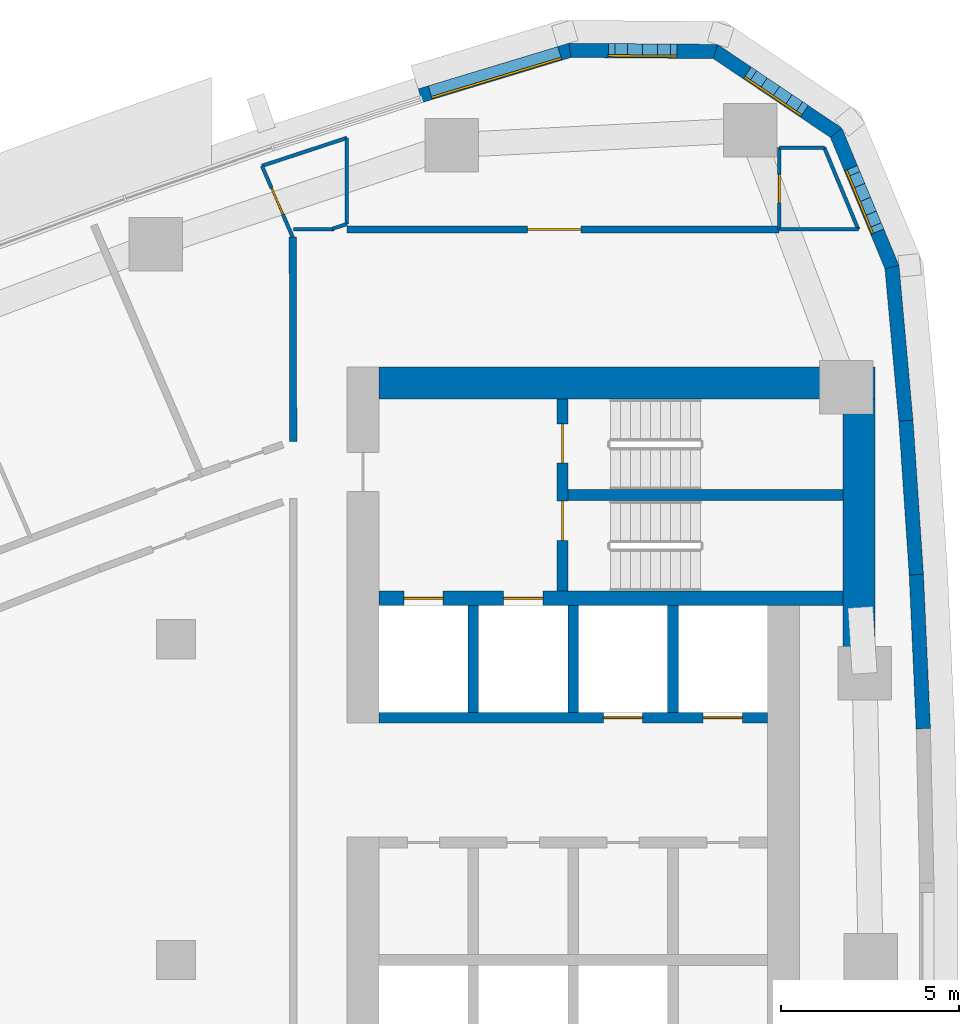
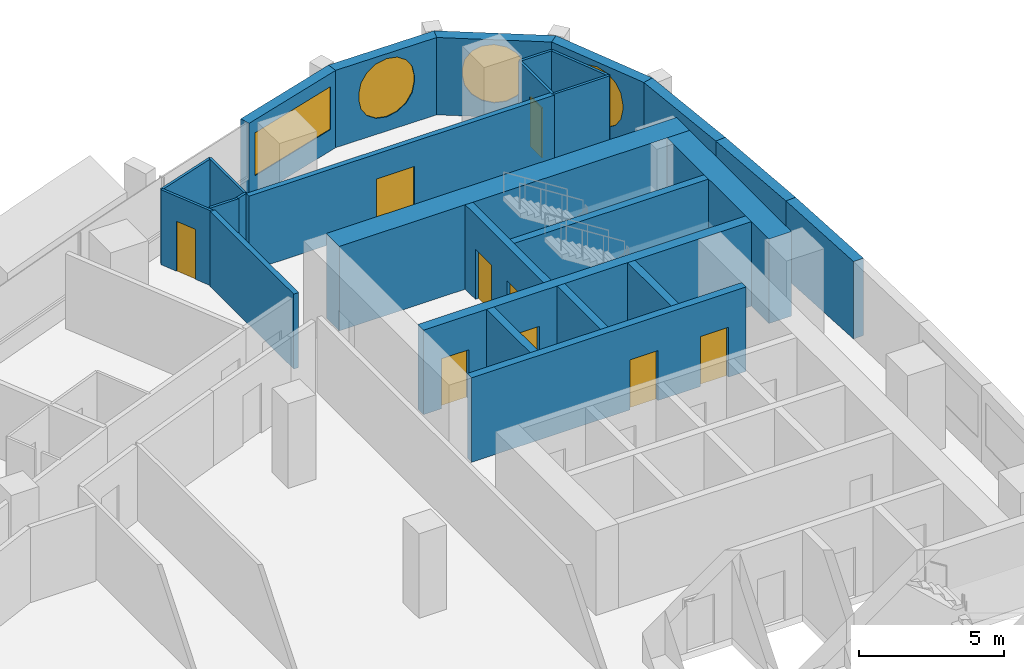
# One storey, part 12 of 17: 27 walls, 9 doors, 4 windows, 13 openings.
"""IFC4 building model written with IfcOpenShell, lengths in metres."""

from ifc_helpers import new_model, si_unit, direction, frame, frame_2d, origin, place, context, subcontext, project, spatial, polyline, rectangle, outline, extrude, material, layer, layer_set, type_object, element, fill, save


model = new_model("IFC4")

# Units and contexts
model_context = context("Model", 3, precision=1e-05, world=origin(), true_north=direction((0.0, 1.0)))
body_context = subcontext(model_context, "Body", "Model", "MODEL_VIEW")
ifc_project = project(units=[si_unit("LENGTHUNIT", "METRE"), si_unit("AREAUNIT", "SQUARE_METRE"), si_unit("VOLUMEUNIT", "CUBIC_METRE"), si_unit("PLANEANGLEUNIT", "RADIAN"), si_unit("MASSUNIT", "GRAM", prefix="KILO")], contexts=[model_context])

# Site, building, storey
site_placement = place(None, origin())
site = spatial("IfcSite", under=ifc_project, at=site_placement, CompositionType="ELEMENT")
building_placement = place(site_placement, origin())
building = spatial("IfcBuilding", under=site, at=building_placement, Name="Ostrand Prow Hotel Tower", CompositionType="ELEMENT")
storey_placement = place(building_placement, frame((0.0, 0.0, 162.14990234375)))
storey = spatial("IfcBuildingStorey", under=building, at=storey_placement, Name="L40", CompositionType="ELEMENT", Elevation=162.14990234375)

# Wall, openings, doors
ifc_material_1 = material(Name="Concrete C70/85", Category="concrete")
ifc_layer_1 = layer(ifc_material_1, 0.300048828125)
ifc_layer_set_1 = layer_set([ifc_layer_1], Name="Concrete C70/85")
wall_type_1 = type_object("IfcWallType", Name="Core wall 300 C70/85", PredefinedType="SHEAR", material=ifc_layer_set_1)
wall_1_placement = place(storey_placement, frame((50.699951171875, 6.800048828125, 0.0), z_axis=(0.0, 0.0, 1.0), x_axis=(1.0, 0.0, 0.0)))
wall_1 = element("IfcWall", 1, at=wall_1_placement, inside=storey, type_object=wall_type_1, Name="Core wall PW-L2-N", PredefinedType="SHEAR", context=body_context, shape_type="SweptSolid", body=[
    extrude(rectangle(XDim=10.900146484375, YDim=0.300048828125, at=frame_2d((5.4501953125, 0.0))), origin(), (0.0, 0.0, 1.0), 3.550048828125),
])
opening_1_placement = place(wall_1_placement, frame((6.300048828125, 0.0, 0.0)))
opening_1 = element("IfcOpeningElement", 2, at=opening_1_placement, cuts=wall_1, Name="Opening LD", PredefinedType="OPENING", context=body_context, shape_type="SweptSolid", body=[
    extrude(rectangle(XDim=1.10009765625, YDim=2.10009765625, at=frame_2d((0.550048828125, 1.050048828125))), frame((0.0, 0.159912109375, 0.0), z_axis=(0.0, -1.0, 0.0), x_axis=(1.0, 0.0, 0.0)), (0.0, 0.0, 1.0), 0.320068359375),
])
opening_2_placement = place(wall_1_placement, frame((9.10009765625, 0.0, 0.0)))
opening_2 = element("IfcOpeningElement", 3, at=opening_2_placement, cuts=wall_1, Name="Opening LD", PredefinedType="OPENING", context=body_context, shape_type="SweptSolid", body=[
    extrude(rectangle(XDim=1.10009765625, YDim=2.10009765625, at=frame_2d((0.550048828125, 1.050048828125))), frame((0.0, 0.159912109375, 0.0), z_axis=(0.0, -1.0, 0.0), x_axis=(1.0, 0.0, 0.0)), (0.0, 0.0, 1.0), 0.320068359375),
])
ifc_material_2 = material(Name="Stainless steel door", Category="steel")
door_type_1 = type_object("IfcDoorType", Name="Lift landing door 1100", OperationType="DOUBLE_DOOR_SLIDING", PredefinedType="DOOR", material=ifc_material_2)
door_1_placement = place(opening_1_placement, origin())
door_1 = element("IfcDoor", 4, at=door_1_placement, inside=storey, type_object=door_type_1, Name="LIFT LANDING DOOR", OperationType="DOUBLE_DOOR_SLIDING", OverallHeight=2.10009765625, OverallWidth=1.10009765625, PredefinedType="DOOR", context=body_context, shape_type="SweptSolid", body=[
    extrude(rectangle(XDim=1.10009765625, YDim=2.10009765625, at=frame_2d((0.550048828125, 1.050048828125))), frame((0.0, 0.02490234375, 0.0), z_axis=(0.0, -1.0, 0.0), x_axis=(1.0, 0.0, 0.0)), (0.0, 0.0, 1.0), 0.050048828125),
])
fill(opening_1, door_1)
door_2_placement = place(opening_2_placement, origin())
door_2 = element("IfcDoor", 5, at=door_2_placement, inside=storey, type_object=door_type_1, Name="LIFT LANDING DOOR", OperationType="DOUBLE_DOOR_SLIDING", OverallHeight=2.10009765625, OverallWidth=1.10009765625, PredefinedType="DOOR", context=body_context, shape_type="SweptSolid", body=[
    extrude(rectangle(XDim=1.10009765625, YDim=2.10009765625, at=frame_2d((0.550048828125, 1.050048828125))), frame((0.0, 0.02490234375, 0.0), z_axis=(0.0, -1.0, 0.0), x_axis=(1.0, 0.0, 0.0)), (0.0, 0.0, 1.0), 0.050048828125),
])
fill(opening_2, door_2)

# Walls
for number, where, z_axis, x_axis, name in (
    (6, (53.35009765625, 6.949951171875, 0.0), (0.0, 0.0, 1.0), (0.0, 1.0, 0.0), "Core wall PW-R1-NA"),
    (7, (56.14990234375, 6.949951171875, 0.0), (0.0, 0.0, 1.0), (0.0, 1.0, 0.0), "Core wall PW-R2-NA"),
    (8, (58.949951171875, 6.949951171875, 0.0), (0.0, 0.0, 1.0), (0.0, 1.0, 0.0), "Core wall PW-R3-NA"),
):
    element("IfcWall", number, at=place(storey_placement, frame(where, z_axis=z_axis, x_axis=x_axis)), inside=storey, type_object=wall_type_1, Name=name, PredefinedType="SHEAR", context=body_context, shape_type="SweptSolid", body=[
        extrude(rectangle(XDim=3.0, YDim=0.300048828125, at=frame_2d((1.5, 0.0))), origin(), (0.0, 0.0, 1.0), 3.550048828125),
    ])

# Wall, openings, doors
wall_2_placement = place(storey_placement, frame((55.85009765625, 10.35009765625, 0.0), z_axis=(0.0, 0.0, 1.0), x_axis=(0.0, 1.0, 0.0)))
wall_2 = element("IfcWall", 9, at=wall_2_placement, inside=storey, type_object=wall_type_1, Name="Core wall PW-VN", PredefinedType="SHEAR", context=body_context, shape_type="SweptSolid", body=[
    extrude(rectangle(XDim=5.39990234375, YDim=0.300048828125, at=frame_2d((2.699951171875, 0.0))), origin(), (0.0, 0.0, 1.0), 3.550048828125),
])
opening_3_placement = place(wall_2_placement, frame((1.429931640625, 0.0, 0.0)))
opening_3 = element("IfcOpeningElement", 10, at=opening_3_placement, cuts=wall_2, Name="Opening FD1", PredefinedType="OPENING", context=body_context, shape_type="SweptSolid", body=[
    extrude(rectangle(XDim=1.10009765625, YDim=2.10009765625, at=frame_2d((0.550048828125, 1.050048828125))), frame((0.0, 0.159912109375, 0.0), z_axis=(0.0, -1.0, 0.0), x_axis=(1.0, 0.0, 0.0)), (0.0, 0.0, 1.0), 0.320068359375),
])
opening_4_placement = place(wall_2_placement, frame((3.60009765625, 0.0, 0.0)))
opening_4 = element("IfcOpeningElement", 11, at=opening_4_placement, cuts=wall_2, Name="Opening FD1", PredefinedType="OPENING", context=body_context, shape_type="SweptSolid", body=[
    extrude(rectangle(XDim=1.10009765625, YDim=2.10009765625, at=frame_2d((0.550048828125, 1.050048828125))), frame((0.0, 0.159912109375, 0.0), z_axis=(0.0, -1.0, 0.0), x_axis=(1.0, 0.0, 0.0)), (0.0, 0.0, 1.0), 0.320068359375),
])
ifc_material_3 = material(Name="Steel fire door", Category="steel")
door_type_2 = type_object("IfcDoorType", Name="Fire door 1100 EI120", OperationType="SINGLE_SWING_RIGHT", PredefinedType="DOOR", material=ifc_material_3)
door_3_placement = place(opening_3_placement, origin())
door_3 = element("IfcDoor", 12, at=door_3_placement, inside=storey, type_object=door_type_2, Name="FIRE DOOR", OperationType="SINGLE_SWING_RIGHT", OverallHeight=2.10009765625, OverallWidth=1.10009765625, PredefinedType="DOOR", context=body_context, shape_type="SweptSolid", body=[
    extrude(rectangle(XDim=1.10009765625, YDim=2.10009765625, at=frame_2d((0.550048828125, 1.050048828125))), frame((0.0, 0.02490234375, 0.0), z_axis=(0.0, -1.0, 0.0), x_axis=(1.0, 0.0, 0.0)), (0.0, 0.0, 1.0), 0.050048828125),
])
fill(opening_3, door_3)
door_4_placement = place(opening_4_placement, origin())
door_4 = element("IfcDoor", 13, at=door_4_placement, inside=storey, type_object=door_type_2, Name="FIRE DOOR", OperationType="SINGLE_SWING_RIGHT", OverallHeight=2.10009765625, OverallWidth=1.10009765625, PredefinedType="DOOR", context=body_context, shape_type="SweptSolid", body=[
    extrude(rectangle(XDim=1.10009765625, YDim=2.10009765625, at=frame_2d((0.550048828125, 1.050048828125))), frame((0.0, 0.02490234375, 0.0), z_axis=(0.0, -1.0, 0.0), x_axis=(1.0, 0.0, 0.0)), (0.0, 0.0, 1.0), 0.050048828125),
])
fill(opening_4, door_4)

# Wall
wall_3_placement = place(storey_placement, frame((56.0, 13.050048828125, 0.0), z_axis=(0.0, 0.0, 1.0), x_axis=(1.0, 0.0, 0.0)))
element("IfcWall", 14, at=wall_3_placement, inside=storey, type_object=wall_type_1, Name="Core wall PW-ST13", PredefinedType="SHEAR", context=body_context, shape_type="SweptSolid", body=[
    extrude(rectangle(XDim=7.719970703125, YDim=0.300048828125, at=frame_2d((3.85986328125, 0.0))), origin(), (0.0, 0.0, 1.0), 3.550048828125),
])

# Wall, openings, doors
ifc_material_4 = material(Name="Concrete C70/85", Category="concrete")
ifc_layer_2 = layer(ifc_material_4, 0.39990234375)
ifc_layer_set_2 = layer_set([ifc_layer_2], Name="Concrete C70/85")
wall_type_2 = type_object("IfcWallType", Name="Core wall 400 C70/85", PredefinedType="SHEAR", material=ifc_layer_set_2)
wall_4_placement = place(storey_placement, frame((50.699951171875, 10.14990234375, 0.0), z_axis=(0.0, 0.0, 1.0), x_axis=(1.0, 0.0, 0.0)))
wall_4 = element("IfcWall", 15, at=wall_4_placement, inside=storey, type_object=wall_type_2, Name="Core wall PW-BN", PredefinedType="SHEAR", context=body_context, shape_type="SweptSolid", body=[
    extrude(rectangle(XDim=13.02001953125, YDim=0.39990234375, at=frame_2d((6.510009765625, 0.0))), origin(), (0.0, 0.0, 1.0), 3.550048828125),
])
opening_5_placement = place(wall_4_placement, frame((0.699951171875, 0.0, 0.0)))
opening_5 = element("IfcOpeningElement", 16, at=opening_5_placement, cuts=wall_4, Name="Opening LD", PredefinedType="OPENING", context=body_context, shape_type="SweptSolid", body=[
    extrude(rectangle(XDim=1.10009765625, YDim=2.10009765625, at=frame_2d((0.550048828125, 1.050048828125))), frame((0.0, 0.2099609375, 0.0), z_axis=(0.0, -1.0, 0.0), x_axis=(1.0, 0.0, 0.0)), (0.0, 0.0, 1.0), 0.419921875),
])
opening_6_placement = place(wall_4_placement, frame((3.5, 0.0, 0.0)))
opening_6 = element("IfcOpeningElement", 17, at=opening_6_placement, cuts=wall_4, Name="Opening LD", PredefinedType="OPENING", context=body_context, shape_type="SweptSolid", body=[
    extrude(rectangle(XDim=1.10009765625, YDim=2.10009765625, at=frame_2d((0.550048828125, 1.050048828125))), frame((0.0, 0.2099609375, 0.0), z_axis=(0.0, -1.0, 0.0), x_axis=(1.0, 0.0, 0.0)), (0.0, 0.0, 1.0), 0.419921875),
])
door_5_placement = place(opening_5_placement, origin())
door_5 = element("IfcDoor", 18, at=door_5_placement, inside=storey, type_object=door_type_1, Name="LIFT LANDING DOOR", OperationType="DOUBLE_DOOR_SLIDING", OverallHeight=2.10009765625, OverallWidth=1.10009765625, PredefinedType="DOOR", context=body_context, shape_type="SweptSolid", body=[
    extrude(rectangle(XDim=1.10009765625, YDim=2.10009765625, at=frame_2d((0.550048828125, 1.050048828125))), frame((0.0, 0.02490234375, 0.0), z_axis=(0.0, -1.0, 0.0), x_axis=(1.0, 0.0, 0.0)), (0.0, 0.0, 1.0), 0.050048828125),
])
fill(opening_5, door_5)
door_6_placement = place(opening_6_placement, origin())
door_6 = element("IfcDoor", 19, at=door_6_placement, inside=storey, type_object=door_type_1, Name="LIFT LANDING DOOR", OperationType="DOUBLE_DOOR_SLIDING", OverallHeight=2.10009765625, OverallWidth=1.10009765625, PredefinedType="DOOR", context=body_context, shape_type="SweptSolid", body=[
    extrude(rectangle(XDim=1.10009765625, YDim=2.10009765625, at=frame_2d((0.550048828125, 1.050048828125))), frame((0.0, 0.02490234375, 0.0), z_axis=(0.0, -1.0, 0.0), x_axis=(1.0, 0.0, 0.0)), (0.0, 0.0, 1.0), 0.050048828125),
])
fill(opening_6, door_6)

# Walls
ifc_material_5 = material(Name="Concrete C70/85", Category="concrete")
ifc_layer_3 = layer(ifc_material_5, 0.89990234375)
ifc_layer_set_3 = layer_set([ifc_layer_3], Name="Concrete C70/85")
wall_type_3 = type_object("IfcWallType", Name="Core wall 900 C70/85", PredefinedType="SHEAR", material=ifc_layer_set_3)
wall_5_placement = place(storey_placement, frame((50.699951171875, 16.199951171875, 0.0), z_axis=(0.0, 0.0, 1.0), x_axis=(1.0, 0.0, 0.0)))
element("IfcWall", 20, at=wall_5_placement, inside=storey, type_object=wall_type_3, Name="Core wall CW-N", PredefinedType="SHEAR", context=body_context, shape_type="SweptSolid", body=[
    extrude(rectangle(XDim=13.920166015625, YDim=0.89990234375, at=frame_2d((6.9599609375, 0.0))), origin(), (0.0, 0.0, 1.0), 3.550048828125),
])
wall_6_placement = place(storey_placement, frame((64.169921875, 8.74462890625, 0.0), z_axis=(0.0, 0.0, 1.0), x_axis=(0.0, 1.0, 0.0)))
element("IfcWall", 21, at=wall_6_placement, inside=storey, type_object=wall_type_3, Name="Core wall CW-E-N", PredefinedType="SHEAR", context=body_context, shape_type="SweptSolid", body=[
    extrude(rectangle(XDim=7.00537109375, YDim=0.89990234375, at=frame_2d((3.502685546875, 0.0))), origin(), (0.0, 0.0, 1.0), 3.550048828125),
])

# Wall, opening, door
ifc_material_6 = material(Name="Plasterboard partition")
ifc_layer_4 = layer(ifc_material_6, 0.10009765625)
ifc_layer_set_4 = layer_set([ifc_layer_4], Name="Plasterboard partition")
wall_type_4 = type_object("IfcWallType", Name="Partition 100 bathroom wall", PredefinedType="PARTITIONING", material=ifc_layer_set_4)
wall_7_placement = place(storey_placement, frame((61.9375, 20.5, 0.0), z_axis=(0.0, 0.0, 1.0), x_axis=(0.0, 1.0, 0.0)))
wall_7 = element("IfcWall", 22, at=wall_7_placement, inside=storey, type_object=wall_type_4, Name="BATHROOM WALL", PredefinedType="PARTITIONING", context=body_context, shape_type="SweptSolid", body=[
    extrude(rectangle(XDim=2.300048828125, YDim=0.10009765625, at=frame_2d((1.14990234375, 0.0))), origin(), (0.0, 0.0, 1.0), 3.150146484375),
])
opening_7_placement = place(wall_7_placement, frame((0.75, 0.0, 0.0)))
opening_7 = element("IfcOpeningElement", 23, at=opening_7_placement, cuts=wall_7, Name="Opening D2", PredefinedType="OPENING", context=body_context, shape_type="SweptSolid", body=[
    extrude(rectangle(XDim=0.800048828125, YDim=2.10009765625, at=frame_2d((0.39990234375, 1.050048828125))), frame((0.0, 0.06005859375, 0.0), z_axis=(0.0, -1.0, 0.0), x_axis=(1.0, 0.0, 0.0)), (0.0, 0.0, 1.0), 0.1201171875),
])
ifc_material_7 = material(Name="Timber door leaf", Category="wood")
door_type_3 = type_object("IfcDoorType", Name="Bathroom door 800", OperationType="SINGLE_SWING_LEFT", PredefinedType="DOOR", material=ifc_material_7)
door_7_placement = place(opening_7_placement, origin())
door_7 = element("IfcDoor", 24, at=door_7_placement, inside=storey, type_object=door_type_3, Name="DOOR", OperationType="SINGLE_SWING_LEFT", OverallHeight=2.10009765625, OverallWidth=0.800048828125, PredefinedType="DOOR", context=body_context, shape_type="SweptSolid", body=[
    extrude(rectangle(XDim=0.800048828125, YDim=2.10009765625, at=frame_2d((0.39990234375, 1.050048828125))), frame((0.0, 0.02490234375, 0.0), z_axis=(0.0, -1.0, 0.0), x_axis=(1.0, 0.0, 0.0)), (0.0, 0.0, 1.0), 0.050048828125),
])
fill(opening_7, door_7)

# Wall
wall_8_placement = place(storey_placement, frame((61.9375, 22.800048828125, 0.0), z_axis=(0.0, 0.0, 1.0), x_axis=(1.0, 0.0, 0.0)))
element("IfcWall", 25, at=wall_8_placement, inside=storey, type_object=wall_type_4, Name="BATHROOM WALL", PredefinedType="PARTITIONING", context=body_context, shape_type="SweptSolid", body=[
    extrude(rectangle(XDim=1.2607421875, YDim=0.10009765625, at=frame_2d((0.63037109375, 0.0))), origin(), (0.0, 0.0, 1.0), 3.150146484375),
])

# Wall, opening, door
wall_9_placement = place(storey_placement, frame((48.27880859375, 20.28857421875, 0.0), z_axis=(0.0, 0.0, 1.0), x_axis=(-0.396028123143, 0.918238381729, 0.0)))
wall_9 = element("IfcWall", 26, at=wall_9_placement, inside=storey, type_object=wall_type_4, Name="BATHROOM WALL", PredefinedType="PARTITIONING", context=body_context, shape_type="SweptSolid", body=[
    extrude(rectangle(XDim=2.1787109375, YDim=0.10009765625, at=frame_2d((1.08935546875, 0.0))), origin(), (0.0, 0.0, 1.0), 3.150146484375),
])
opening_8_placement = place(wall_9_placement, frame((0.699951171875, 0.0, 0.0)))
opening_8 = element("IfcOpeningElement", 27, at=opening_8_placement, cuts=wall_9, Name="Opening D2", PredefinedType="OPENING", context=body_context, shape_type="SweptSolid", body=[
    extrude(rectangle(XDim=0.800048828125, YDim=2.10009765625, at=frame_2d((0.39990234375, 1.050048828125))), frame((0.0, 0.06005859375, 0.0), z_axis=(0.0, -1.0, 0.0), x_axis=(1.0, 0.0, 0.0)), (0.0, 0.0, 1.0), 0.1201171875),
])
door_8_placement = place(opening_8_placement, origin())
door_8 = element("IfcDoor", 28, at=door_8_placement, inside=storey, type_object=door_type_3, Name="DOOR", OperationType="SINGLE_SWING_LEFT", OverallHeight=2.10009765625, OverallWidth=0.800048828125, PredefinedType="DOOR", context=body_context, shape_type="SweptSolid", body=[
    extrude(rectangle(XDim=0.800048828125, YDim=2.10009765625, at=frame_2d((0.39990234375, 1.050048828125))), frame((0.0, 0.02490234375, 0.0), z_axis=(0.0, -1.0, 0.0), x_axis=(1.0, 0.0, 0.0)), (0.0, 0.0, 1.0), 0.050048828125),
])
fill(opening_8, door_8)

# Walls
wall_10_placement = place(storey_placement, frame((63.1982421875, 22.800048828125, 0.0), z_axis=(0.0, 0.0, 1.0), x_axis=(0.383855043906, -0.923393364319, 0.0)))
element("IfcWall", 29, at=wall_10_placement, inside=storey, type_object=wall_type_4, Name="BATHROOM WALL", PredefinedType="PARTITIONING", context=body_context, shape_type="SweptSolid", body=[
    extrude(rectangle(XDim=2.485595703125, YDim=0.10009765625, at=frame_2d((1.24267578125, 0.0))), origin(), (0.0, 0.0, 1.0), 3.150146484375),
])
wall_11_placement = place(storey_placement, frame((64.15234375, 20.5048828125, 0.0), z_axis=(0.0, 0.0, 1.0), x_axis=(-1.0, 0.0, 0.0)))
element("IfcWall", 30, at=wall_11_placement, inside=storey, type_object=wall_type_4, Name="BATHROOM WALL", PredefinedType="PARTITIONING", context=body_context, shape_type="SweptSolid", body=[
    extrude(rectangle(XDim=2.21484375, YDim=0.10009765625, at=frame_2d((1.107421875, 0.0))), origin(), (0.0, 0.0, 1.0), 3.150146484375),
])
wall_12_placement = place(storey_placement, frame((49.800048828125, 23.07421875, 0.0), z_axis=(0.0, 0.0, 1.0), x_axis=(0.0, -1.0, 0.0)))
element("IfcWall", 31, at=wall_12_placement, inside=storey, type_object=wall_type_4, Name="BATHROOM WALL", PredefinedType="PARTITIONING", context=body_context, shape_type="SweptSolid", body=[
    extrude(rectangle(XDim=2.41845703125, YDim=0.10009765625, at=frame_2d((1.209228515625, 0.0))), origin(), (0.0, 0.0, 1.0), 3.150146484375),
])
wall_13_placement = place(storey_placement, frame((49.800048828125, 20.65576171875, 0.0), z_axis=(0.0, 0.0, 1.0), x_axis=(-0.950681805248, -0.310167866115, 0.0)))
element("IfcWall", 32, at=wall_13_placement, inside=storey, type_object=wall_type_4, Name="BATHROOM WALL", PredefinedType="PARTITIONING", context=body_context, shape_type="SweptSolid", body=[
    extrude(rectangle(XDim=0.423583984375, YDim=0.10009765625, at=frame_2d((0.2119140625, 0.0))), origin(), (0.0, 0.0, 1.0), 3.150146484375),
])
wall_14_placement = place(storey_placement, frame((49.433837890625, 20.5048828125, 0.0), z_axis=(0.0, 0.0, 1.0), x_axis=(-1.0, 0.0, 0.0)))
element("IfcWall", 33, at=wall_14_placement, inside=storey, type_object=wall_type_4, Name="BATHROOM WALL", PredefinedType="PARTITIONING", context=body_context, shape_type="SweptSolid", body=[
    extrude(rectangle(XDim=1.13525390625, YDim=0.10009765625, at=frame_2d((0.567626953125, 0.0))), origin(), (0.0, 0.0, 1.0), 3.150146484375),
])
wall_15_placement = place(storey_placement, frame((47.416015625, 22.289306640625, 0.0), z_axis=(0.0, 0.0, 1.0), x_axis=(0.949844078437, 0.312723882455, 0.0)))
element("IfcWall", 34, at=wall_15_placement, inside=storey, type_object=wall_type_4, Name="BATHROOM WALL", PredefinedType="PARTITIONING", context=body_context, shape_type="SweptSolid", body=[
    extrude(rectangle(XDim=2.510009765625, YDim=0.10009765625, at=frame_2d((1.2548828125, 0.0))), origin(), (0.0, 0.0, 1.0), 3.150146484375),
])

# Wall, opening, door
ifc_material_8 = material(Name="Plasterboard partition")
ifc_layer_5 = layer(ifc_material_8, 0.199951171875)
ifc_layer_set_5 = layer_set([ifc_layer_5], Name="Plasterboard partition")
wall_type_5 = type_object("IfcWallType", Name="Partition 200 corridor wall", PredefinedType="PARTITIONING", material=ifc_layer_set_5)
wall_16_placement = place(storey_placement, frame((61.9326171875, 20.5048828125, 0.0), z_axis=(0.0, 0.0, 1.0), x_axis=(-1.0, 0.0, 0.0)))
wall_16 = element("IfcWall", 35, at=wall_16_placement, inside=storey, type_object=wall_type_5, Name="CORRIDOR WALL", PredefinedType="PARTITIONING", context=body_context, shape_type="SweptSolid", body=[
    extrude(rectangle(XDim=12.132568359375, YDim=0.199951171875, at=frame_2d((6.06640625, 0.0))), origin(), (0.0, 0.0, 1.0), 3.150146484375),
])
opening_9_placement = place(wall_16_placement, frame((5.56640625, 0.0, 0.0)))
opening_9 = element("IfcOpeningElement", 36, at=opening_9_placement, cuts=wall_16, Name="Opening D15", PredefinedType="OPENING", context=body_context, shape_type="SweptSolid", body=[
    extrude(rectangle(XDim=1.5, YDim=2.10009765625, at=frame_2d((0.75, 1.050048828125))), frame((0.0, 0.10986328125, 0.0), z_axis=(0.0, -1.0, 0.0), x_axis=(1.0, 0.0, 0.0)), (0.0, 0.0, 1.0), 0.219970703125),
])
ifc_material_9 = material(Name="Timber door leaf", Category="wood")
door_type_4 = type_object("IfcDoorType", Name="Double door 1500", OperationType="DOUBLE_DOOR_SINGLE_SWING", PredefinedType="DOOR", material=ifc_material_9)
door_9_placement = place(opening_9_placement, origin())
door_9 = element("IfcDoor", 37, at=door_9_placement, inside=storey, type_object=door_type_4, Name="DOOR", OperationType="DOUBLE_DOOR_SINGLE_SWING", OverallHeight=2.10009765625, OverallWidth=1.5, PredefinedType="DOOR", context=body_context, shape_type="SweptSolid", body=[
    extrude(rectangle(XDim=1.5, YDim=2.10009765625, at=frame_2d((0.75, 1.050048828125))), frame((0.0, 0.02490234375, 0.0), z_axis=(0.0, -1.0, 0.0), x_axis=(1.0, 0.0, 0.0)), (0.0, 0.0, 1.0), 0.050048828125),
])
fill(opening_9, door_9)

# Walls
wall_17_placement = place(storey_placement, frame((48.27880859375, 20.28857421875, 0.0), z_axis=(0.0, 0.0, 1.0), x_axis=(0.002809695168, -0.999996052799, 0.0)))
element("IfcWall", 38, at=wall_17_placement, inside=storey, type_object=wall_type_5, Name="CORRIDOR WALL", PredefinedType="PARTITIONING", context=body_context, shape_type="SweptSolid", body=[
    extrude(rectangle(XDim=5.73486328125, YDim=0.199951171875, at=frame_2d((2.867431640625, 0.0))), origin(), (0.0, 0.0, 1.0), 3.150146484375),
])
ifc_material_10 = material(Name="Precast concrete C40/50", Category="concrete")
ifc_layer_6 = layer(ifc_material_10, 0.39990234375)
ifc_layer_set_6 = layer_set([ifc_layer_6], Name="Precast concrete C40/50")
wall_type_6 = type_object("IfcWallType", Name="Stone-faced precast wall 400 mm", PredefinedType="NOTDEFINED", material=ifc_layer_set_6)
for number, where, z_axis, x_axis, name in (
    (39, (65.977783203125, 6.4921875, 0.0), (0.0, 0.0, 1.0), (-0.045228592312, 0.99897666361, 0.0), "Stone-faced wall back 11"),
    (40, (65.781982421875, 10.81689453125, 0.0), (0.0, 0.0, 1.0), (-0.067731727279, 0.997703569764, 0.0), "Stone-faced wall back 12"),
):
    element("IfcWall", number, at=place(storey_placement, frame(where, z_axis=z_axis, x_axis=x_axis)), inside=storey, type_object=wall_type_6, Name=name, PredefinedType="NOTDEFINED", context=body_context, shape_type="SweptSolid", body=[
        extrude(outline(polyline([(-0.002197265625, -0.199951171875), (4.331298828125, -0.199951171875), (4.326904296875, 0.199951171875), (0.002197265625, 0.199951171875), (-0.002197265625, -0.199951171875)])), origin(), (0.0, 0.0, 1.0), 3.25),
    ])
wall_18_placement = place(storey_placement, frame((65.48876953125, 15.135986328125, 0.0), z_axis=(0.0, 0.0, 1.0), x_axis=(-0.090296735989, 0.995914905737, 0.0)))
element("IfcWall", 41, at=wall_18_placement, inside=storey, type_object=wall_type_6, Name="Stone-faced wall back 13", PredefinedType="NOTDEFINED", context=body_context, shape_type="SweptSolid", body=[
    extrude(outline(polyline([(-0.002197265625, -0.199951171875), (4.359130859375, -0.199951171875), (4.298095703125, 0.199951171875), (0.002197265625, 0.199951171875), (-0.002197265625, -0.199951171875)])), origin(), (0.0, 0.0, 1.0), 3.25),
])

# Wall, opening, window
wall_19_placement = place(storey_placement, frame((65.097900390625, 19.447021484375, 0.0), z_axis=(0.0, 0.0, 1.0), x_axis=(-0.383817293519, 0.923409056267, 0.0)))
wall_19 = element("IfcWall", 42, at=wall_19_placement, inside=storey, type_object=wall_type_6, Name="Stone-faced wall back 14", PredefinedType="NOTDEFINED", context=body_context, shape_type="SweptSolid", body=[
    extrude(outline(polyline([(-0.030517578125, -0.199951171875), (4.14453125, -0.199951171875), (4.02392578125, 0.199951171875), (0.030517578125, 0.199951171875), (-0.030517578125, -0.199951171875)])), origin(), (0.0, 0.0, 1.0), 3.25),
])
opening_10_placement = place(wall_19_placement, frame((0.94189453125, 0.0, 0.60009765625)))
opening_10 = element("IfcOpeningElement", 43, at=opening_10_placement, cuts=wall_19, Name="Opening WP1", PredefinedType="OPENING", context=body_context, shape_type="SweptSolid", body=[
    extrude(outline(polyline([(0.0, 1.35009765625), (0.083740234375, 1.77099609375), (0.322265625, 2.127685546875), (0.678955078125, 2.3662109375), (1.10009765625, 2.449951171875), (1.52099609375, 2.3662109375), (1.877685546875, 2.127685546875), (2.1162109375, 1.77099609375), (2.199951171875, 1.35009765625), (2.199951171875, 1.10009765625), (2.1162109375, 0.678955078125), (1.877685546875, 0.322265625), (1.52099609375, 0.083740234375), (1.10009765625, 0.0), (0.678955078125, 0.083740234375), (0.322265625, 0.322265625), (0.083740234375, 0.678955078125), (0.0, 1.099853515625), (0.0, 1.35009765625)])), frame((0.0, 0.2099609375, 0.0), z_axis=(0.0, -1.0, 0.0), x_axis=(1.0, 0.0, 0.0)), (0.0, 0.0, 1.0), 0.419921875),
])
ifc_material_11 = material(Name="Insulated glass in bronze frame", Category="glass")
window_type_1 = type_object("IfcWindowType", Name="Round-ended prow window 2200x2450", PartitioningType="SINGLE_PANEL", PredefinedType="WINDOW", material=ifc_material_11)
window_1_placement = place(opening_10_placement, origin())
window_1 = element("IfcWindow", 44, at=window_1_placement, inside=storey, type_object=window_type_1, Name="Window back 14.1", OverallHeight=2.449951171875, OverallWidth=2.199951171875, PartitioningType="SINGLE_PANEL", PredefinedType="WINDOW", context=body_context, shape_type="SweptSolid", body=[
    extrude(outline(polyline([(0.0, 1.35009765625), (0.083740234375, 1.77099609375), (0.322265625, 2.127685546875), (0.678955078125, 2.3662109375), (1.10009765625, 2.449951171875), (1.52099609375, 2.3662109375), (1.877685546875, 2.127685546875), (2.1162109375, 1.77099609375), (2.199951171875, 1.35009765625), (2.199951171875, 1.10009765625), (2.1162109375, 0.678955078125), (1.877685546875, 0.322265625), (1.52099609375, 0.083740234375), (1.10009765625, 0.0), (0.678955078125, 0.083740234375), (0.322265625, 0.322265625), (0.083740234375, 0.678955078125), (0.0, 1.099853515625), (0.0, 1.35009765625)])), frame((0.0, 0.169921875, 0.0), z_axis=(0.0, -1.0, 0.0), x_axis=(1.0, 0.0, 0.0)), (0.0, 0.0, 1.0), 0.06005859375),
])
fill(opening_10, window_1)

wall_20_placement = place(storey_placement, frame((63.5302734375, 23.218505859375, 0.0), z_axis=(0.0, 0.0, 1.0), x_axis=(-0.829642062482, 0.558295663749, 0.0)))
wall_20 = element("IfcWall", 45, at=wall_20_placement, inside=storey, type_object=wall_type_6, Name="Stone-faced wall back 15", PredefinedType="NOTDEFINED", context=body_context, shape_type="SweptSolid", body=[
    extrude(outline(polyline([(-0.060302734375, -0.199951171875), (4.144287109375, -0.199951171875), (4.023681640625, 0.199951171875), (0.060302734375, 0.199951171875), (-0.060302734375, -0.199951171875)])), origin(), (0.0, 0.0, 1.0), 3.25),
])
opening_11_placement = place(wall_20_placement, frame((0.94189453125, 0.0, 0.60009765625)))
opening_11 = element("IfcOpeningElement", 46, at=opening_11_placement, cuts=wall_20, Name="Opening WP1", PredefinedType="OPENING", context=body_context, shape_type="SweptSolid", body=[
    extrude(outline(polyline([(0.0, 1.35009765625), (0.083740234375, 1.77099609375), (0.322265625, 2.127685546875), (0.678955078125, 2.3662109375), (1.10009765625, 2.449951171875), (1.52099609375, 2.3662109375), (1.877685546875, 2.127685546875), (2.1162109375, 1.77099609375), (2.199951171875, 1.35009765625), (2.199951171875, 1.10009765625), (2.1162109375, 0.678955078125), (1.877685546875, 0.322265625), (1.52099609375, 0.083740234375), (1.10009765625, 0.0), (0.678955078125, 0.083740234375), (0.322265625, 0.322265625), (0.083740234375, 0.678955078125), (0.0, 1.099853515625), (0.0, 1.35009765625)])), frame((0.0, 0.2099609375, 0.0), z_axis=(0.0, -1.0, 0.0), x_axis=(1.0, 0.0, 0.0)), (0.0, 0.0, 1.0), 0.419921875),
])
window_2_placement = place(opening_11_placement, origin())
window_2 = element("IfcWindow", 47, at=window_2_placement, inside=storey, type_object=window_type_1, Name="Window back 15.1", OverallHeight=2.449951171875, OverallWidth=2.199951171875, PartitioningType="SINGLE_PANEL", PredefinedType="WINDOW", context=body_context, shape_type="SweptSolid", body=[
    extrude(outline(polyline([(0.0, 1.35009765625), (0.083740234375, 1.77099609375), (0.322265625, 2.127685546875), (0.678955078125, 2.3662109375), (1.10009765625, 2.449951171875), (1.52099609375, 2.3662109375), (1.877685546875, 2.127685546875), (2.1162109375, 1.77099609375), (2.199951171875, 1.35009765625), (2.199951171875, 1.10009765625), (2.1162109375, 0.678955078125), (1.877685546875, 0.322265625), (1.52099609375, 0.083740234375), (1.10009765625, 0.0), (0.678955078125, 0.083740234375), (0.322265625, 0.322265625), (0.083740234375, 0.678955078125), (0.0, 1.099853515625), (0.0, 1.35009765625)])), frame((0.0, 0.169921875, 0.0), z_axis=(0.0, -1.0, 0.0), x_axis=(1.0, 0.0, 0.0)), (0.0, 0.0, 1.0), 0.06005859375),
])
fill(opening_11, window_2)

wall_21_placement = place(storey_placement, frame((60.14208984375, 25.49853515625, 0.0), z_axis=(0.0, 0.0, 1.0), x_axis=(-0.99996933771, 0.007830941131, 0.0)))
wall_21 = element("IfcWall", 48, at=wall_21_placement, inside=storey, type_object=wall_type_6, Name="Stone-faced wall back 16", PredefinedType="NOTDEFINED", context=body_context, shape_type="SweptSolid", body=[
    extrude(outline(polyline([(-0.060302734375, -0.199951171875), (4.11474609375, -0.199951171875), (4.0537109375, 0.199951171875), (0.060302734375, 0.199951171875), (-0.060302734375, -0.199951171875)])), origin(), (0.0, 0.0, 1.0), 3.25),
])
opening_12_placement = place(wall_21_placement, frame((0.94189453125, 0.0, 0.60009765625)))
opening_12 = element("IfcOpeningElement", 49, at=opening_12_placement, cuts=wall_21, Name="Opening WP1", PredefinedType="OPENING", context=body_context, shape_type="SweptSolid", body=[
    extrude(outline(polyline([(0.0, 1.35009765625), (0.083740234375, 1.77099609375), (0.322265625, 2.127685546875), (0.678955078125, 2.3662109375), (1.10009765625, 2.449951171875), (1.52099609375, 2.3662109375), (1.877685546875, 2.127685546875), (2.1162109375, 1.77099609375), (2.199951171875, 1.35009765625), (2.199951171875, 1.10009765625), (2.1162109375, 0.678955078125), (1.877685546875, 0.322265625), (1.52099609375, 0.083740234375), (1.10009765625, 0.0), (0.678955078125, 0.083740234375), (0.322265625, 0.322265625), (0.083740234375, 0.678955078125), (0.0, 1.099853515625), (0.0, 1.35009765625)])), frame((0.0, 0.2099609375, 0.0), z_axis=(0.0, -1.0, 0.0), x_axis=(1.0, 0.0, 0.0)), (0.0, 0.0, 1.0), 0.419921875),
])
window_3_placement = place(opening_12_placement, origin())
window_3 = element("IfcWindow", 50, at=window_3_placement, inside=storey, type_object=window_type_1, Name="Window back 16.1", OverallHeight=2.449951171875, OverallWidth=2.199951171875, PartitioningType="SINGLE_PANEL", PredefinedType="WINDOW", context=body_context, shape_type="SweptSolid", body=[
    extrude(outline(polyline([(0.0, 1.35009765625), (0.083740234375, 1.77099609375), (0.322265625, 2.127685546875), (0.678955078125, 2.3662109375), (1.10009765625, 2.449951171875), (1.52099609375, 2.3662109375), (1.877685546875, 2.127685546875), (2.1162109375, 1.77099609375), (2.199951171875, 1.35009765625), (2.199951171875, 1.10009765625), (2.1162109375, 0.678955078125), (1.877685546875, 0.322265625), (1.52099609375, 0.083740234375), (1.10009765625, 0.0), (0.678955078125, 0.083740234375), (0.322265625, 0.322265625), (0.083740234375, 0.678955078125), (0.0, 1.099853515625), (0.0, 1.35009765625)])), frame((0.0, 0.169921875, 0.0), z_axis=(0.0, -1.0, 0.0), x_axis=(1.0, 0.0, 0.0)), (0.0, 0.0, 1.0), 0.06005859375),
])
fill(opening_12, window_3)

wall_22_placement = place(storey_placement, frame((56.05810546875, 25.530517578125, 0.0), z_axis=(0.0, 0.0, 1.0), x_axis=(-0.956964488344, -0.290205044837, 0.0)))
wall_22 = element("IfcWall", 51, at=wall_22_placement, inside=storey, type_object=wall_type_6, Name="Stone-faced wall back 17", PredefinedType="NOTDEFINED", context=body_context, shape_type="SweptSolid", body=[
    extrude(outline(polyline([(-0.030517578125, -0.199951171875), (4.387939453125, -0.199951171875), (4.387939453125, 0.199951171875), (0.030517578125, 0.199951171875), (-0.030517578125, -0.199951171875)])), origin(), (0.0, 0.0, 1.0), 3.25),
])
opening_13_placement = place(wall_22_placement, frame((0.2939453125, 0.0, 0.89990234375)))
opening_13 = element("IfcOpeningElement", 52, at=opening_13_placement, cuts=wall_22, Name="Opening WS3-38", PredefinedType="OPENING", context=body_context, shape_type="SweptSolid", body=[
    extrude(rectangle(XDim=3.800048828125, YDim=1.800048828125, at=frame_2d((1.89990234375, 0.89990234375))), frame((0.0, 0.2099609375, 0.0), z_axis=(0.0, -1.0, 0.0), x_axis=(1.0, 0.0, 0.0)), (0.0, 0.0, 1.0), 0.419921875),
])
ifc_material_12 = material(Name="Insulated glass in bronze frame", Category="glass")
window_type_2 = type_object("IfcWindowType", Name="Strip window 3800x1800", PartitioningType="SINGLE_PANEL", PredefinedType="WINDOW", material=ifc_material_12)
window_4_placement = place(opening_13_placement, origin())
window_4 = element("IfcWindow", 53, at=window_4_placement, inside=storey, type_object=window_type_2, Name="Window back 17.1", OverallHeight=1.800048828125, OverallWidth=3.800048828125, PartitioningType="SINGLE_PANEL", PredefinedType="WINDOW", context=body_context, shape_type="SweptSolid", body=[
    extrude(rectangle(XDim=3.800048828125, YDim=1.800048828125, at=frame_2d((1.89990234375, 0.89990234375))), frame((0.0, 0.169921875, 0.0), z_axis=(0.0, -1.0, 0.0), x_axis=(1.0, 0.0, 0.0)), (0.0, 0.0, 1.0), 0.06005859375),
])
fill(opening_13, window_4)

save(model, "model.ifc")
